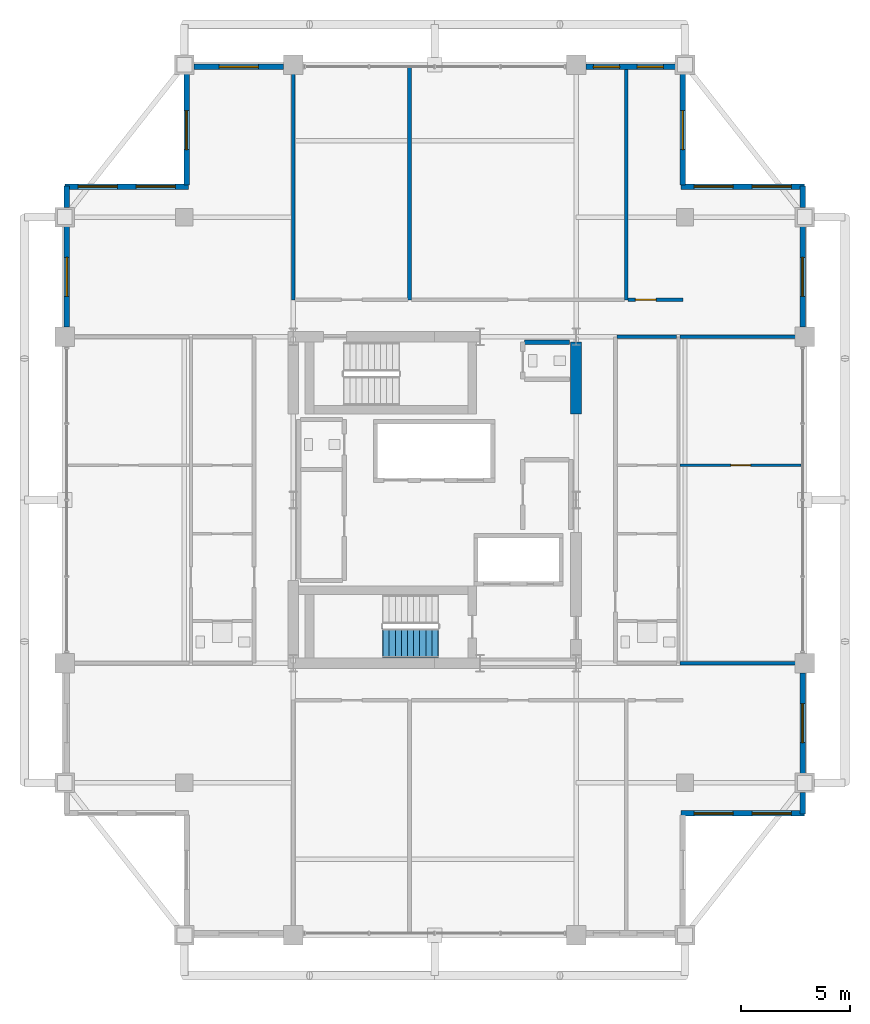
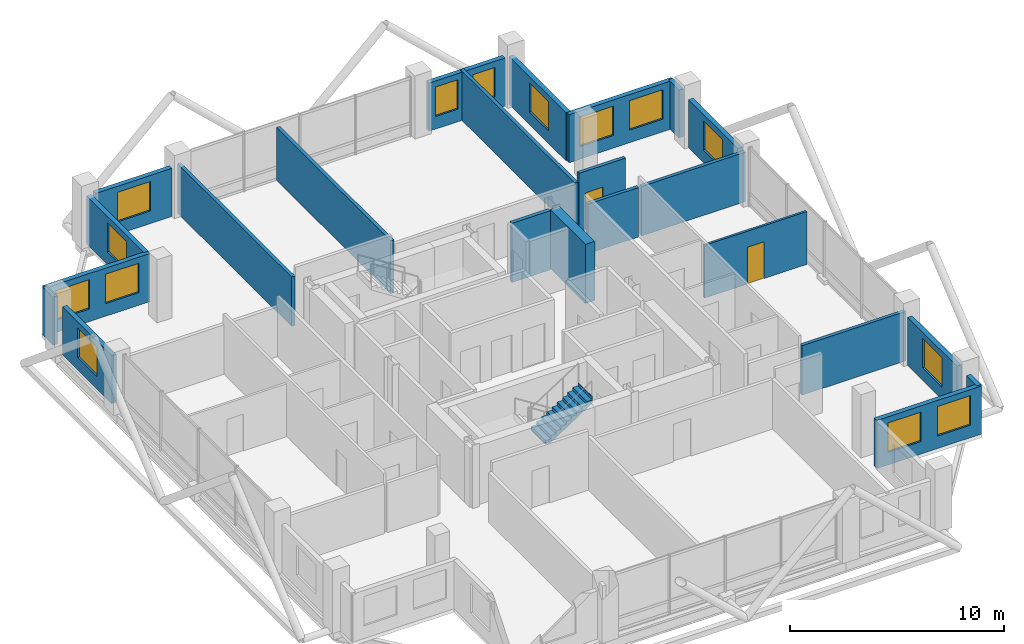
# One storey, part 21 of 24: 23 walls, 14 windows, 2 doors, 1 stair flight, 16 openings, 1 element without a shape of its own.
"""IFC4 building model written with IfcOpenShell, lengths in metres."""

import ifcopenshell
import ifcopenshell.guid

model = None  # the IFC model being written
_history = None  # IfcOwnerHistory: only IFC2X3 demands one
_inside = {}  # id of a spatial element -> (the spatial element, [elements in it])
_under = {}  # id of a project, library or spatial element -> (it, [spatial elements below it])
_declared = {}  # id of a project -> (the project, [libraries it declares])
_typed = {}  # id of a type object -> (the type object, [elements of that type])
_made_of = {}  # id of a material, layer set ... -> (it, [elements and type objects made of it])


def new_model(schema):
    """Start an empty IFC model of exactly this schema.

    Asked for "IFC4X3", IfcOpenShell would pick the latest addendum, in which some entities
    have other attributes; the version numbers below select the first issue.
    IFC2X3 requires an IfcOwnerHistory on every rooted entity: one is made here for all.
    """
    global model, _history
    if schema == "IFC4X3":
        model = ifcopenshell.file(schema_version=(4, 3, 0, 0))
    else:
        model = ifcopenshell.file(schema=schema)
    _inside.clear()
    _under.clear()
    _declared.clear()
    _typed.clear()
    _made_of.clear()
    _history = None
    if model.schema == "IFC2X3":
        org = make("IfcOrganization", Name="unknown")
        user = make(
            "IfcPersonAndOrganization",
            ThePerson=make("IfcPerson", FamilyName="unknown"),
            TheOrganization=org,
        )
        app = make(
            "IfcApplication",
            ApplicationDeveloper=org,
            Version="unknown",
            ApplicationFullName="unknown",
            ApplicationIdentifier="unknown",
        )
        _history = make(
            "IfcOwnerHistory",
            OwningUser=user,
            OwningApplication=app,
            ChangeAction="ADDED",
            CreationDate=0,
        )
    return model


def make(cls, **values):
    """One entity of the class cls with the attributes given. An attribute that is None is left unset."""
    return model.create_entity(
        cls, **{name: value for name, value in values.items() if value is not None}
    )


def rooted(cls, **values):
    """An entity with a GlobalId (a new one), such as an element, a storey or a relation."""
    return make(cls, GlobalId=ifcopenshell.guid.new(), OwnerHistory=_history, **values)


def si_unit(unit_type, name, prefix=None):
    """IfcSIUnit, for example si_unit("LENGTHUNIT", "METRE", prefix="MILLI")."""
    return make("IfcSIUnit", UnitType=unit_type, Prefix=prefix, Name=name)


def assignment(units):
    """IfcUnitAssignment: the units of a project."""
    return None if units is None else make("IfcUnitAssignment", Units=units)


def point(xyz):
    """IfcCartesianPoint."""
    return None if xyz is None else make("IfcCartesianPoint", Coordinates=xyz)


def direction(xyz):
    """IfcDirection."""
    return None if xyz is None else make("IfcDirection", DirectionRatios=xyz)


def frame(location, z_axis=None, x_axis=None):
    """IfcAxis2Placement3D, a coordinate frame: its origin and axes. An axis left out is left unset."""
    return make(
        "IfcAxis2Placement3D",
        Location=point(location),
        Axis=direction(z_axis),
        RefDirection=direction(x_axis),
    )


def frame_2d(location, x_axis=None):
    """IfcAxis2Placement2D, a coordinate frame in the plane: its origin and x axis."""
    return make(
        "IfcAxis2Placement2D", Location=point(location), RefDirection=direction(x_axis)
    )


def origin():
    """The frame at (0, 0, 0) with its axes left unset."""
    return frame((0.0, 0.0, 0.0))


def place(relative_to, where):
    """IfcLocalPlacement: puts the frame where relative to a parent placement (None: the world)."""
    return make(
        "IfcLocalPlacement", PlacementRelTo=relative_to, RelativePlacement=where
    )


def context(
    kind, dimensions, precision=None, world=None, true_north=None, identifier=None
):
    """IfcGeometricRepresentationContext, for example the 3D "Model" context."""
    return make(
        "IfcGeometricRepresentationContext",
        ContextIdentifier=identifier,
        ContextType=kind,
        CoordinateSpaceDimension=dimensions,
        Precision=precision,
        WorldCoordinateSystem=world,
        TrueNorth=true_north,
    )


def subcontext(parent, identifier, kind, view, scale=None):
    """IfcGeometricRepresentationSubContext, for example "Body" below "Model"."""
    return make(
        "IfcGeometricRepresentationSubContext",
        ContextIdentifier=identifier,
        ContextType=kind,
        ParentContext=parent,
        TargetScale=scale,
        TargetView=view,
    )


def project(units=None, contexts=None):
    """IfcProject with its units and contexts."""
    return rooted(
        "IfcProject",
        Name="project",
        RepresentationContexts=contexts,
        UnitsInContext=assignment(units),
    )


def spatial(cls, under=None, at=None, **own):
    """A site, building, storey or space (cls), placed at a placement, below another one or the project."""
    s = rooted(cls, ObjectPlacement=at, **own)
    if under is not None:
        _under.setdefault(under.id(), (under, []))[1].append(s)
    return s


def polyline(points):
    """IfcPolyline through the points."""
    return make("IfcPolyline", Points=[point(p) for p in points])


def profile(cls, at=None, kind="AREA", **sizes):
    """A parametric profile (cls). Its sizes go by their IFC names, for example OverallWidth=200.0."""
    return make(cls, ProfileType=kind, Position=at, **sizes)


def rectangle(**sizes):
    """IfcRectangleProfileDef."""
    return profile("IfcRectangleProfileDef", **sizes)


def outline(outer, holes=None, kind="AREA"):
    """IfcArbitraryClosedProfileDef: a profile drawn as a closed curve; with holes, ...WithVoids."""
    if holes is None:
        return make("IfcArbitraryClosedProfileDef", ProfileType=kind, OuterCurve=outer)
    return make(
        "IfcArbitraryProfileDefWithVoids",
        ProfileType=kind,
        OuterCurve=outer,
        InnerCurves=holes,
    )


def extrude(swept, where, along, depth):
    """IfcExtrudedAreaSolid: the profile swept, set in the frame where, extruded along a direction by depth."""
    return make(
        "IfcExtrudedAreaSolid",
        SweptArea=swept,
        Position=where,
        ExtrudedDirection=direction(along),
        Depth=depth,
    )


def shape(context_of_items, identifier, shape_type, items):
    """IfcShapeRepresentation: the items that make up one representation, for example the "Body"."""
    return make(
        "IfcShapeRepresentation",
        ContextOfItems=context_of_items,
        RepresentationIdentifier=identifier,
        RepresentationType=shape_type,
        Items=items,
    )


def material(Name=None, Category=None):
    """IfcMaterial."""
    return make("IfcMaterial", Name=Name, Category=Category)


def layer(
    of_material, thickness, ventilated=None, Name=None, Category=None, Priority=None
):
    """IfcMaterialLayer: one layer of a wall or slab, of a material (None: an air gap)."""
    return make(
        "IfcMaterialLayer",
        Material=of_material,
        LayerThickness=thickness,
        IsVentilated=ventilated,
        Name=Name,
        Category=Category,
        Priority=Priority,
    )


def layer_set(layers, Name=None):
    """IfcMaterialLayerSet."""
    return make("IfcMaterialLayerSet", MaterialLayers=layers, LayerSetName=Name)


def made_of(thing, what):
    """Note that an element or type object is made of a material, layer set ...; save() writes the relation."""
    if what is not None:
        _made_of.setdefault(what.id(), (what, []))[1].append(thing)
    return thing


def type_object(cls, material=None, **own):
    """A type object (cls), such as IfcWallType, which elements share."""
    return made_of(rooted(cls, **own), material)


def element(
    cls,
    number,
    at=None,
    inside=None,
    cuts=None,
    type_object=None,
    material=None,
    context=None,
    identifier="Body",
    shape_type=None,
    held_by="IfcProductDefinitionShape",
    body=None,
    shapes=None,
    **own,
):
    """One element of the class cls, such as IfcWall. Its Tag is "e" and its number.

    at: its placement. inside: the storey or other place that contains it. cuts: it is an
    opening in that element (IfcRelVoidsElement). A single representation is given by context,
    identifier, shape_type and body (its items); several are given by shapes. held_by: the class
    of the entity that holds the representations. save() writes the other relations.
    """
    e = rooted(cls, Tag="e%d" % number, ObjectPlacement=at, **own)
    if body is not None:
        shapes = [shape(context, identifier, shape_type, body)]
    if shapes is not None:
        e.Representation = make(held_by, Representations=shapes)
    if inside is not None:
        _inside.setdefault(inside.id(), (inside, []))[1].append(e)
    if cuts is not None:
        rooted(
            "IfcRelVoidsElement", RelatingBuildingElement=cuts, RelatedOpeningElement=e
        )
    if type_object is not None:
        _typed.setdefault(type_object.id(), (type_object, []))[1].append(e)
    return made_of(e, material)


def fill(opening, filler):
    """IfcRelFillsElement: the door or window that sits in an opening."""
    return rooted(
        "IfcRelFillsElement",
        RelatingOpeningElement=opening,
        RelatedBuildingElement=filler,
    )


def aggregate(whole, parts):
    """IfcRelAggregates: a whole, such as a stair, and the parts it consists of."""
    return rooted("IfcRelAggregates", RelatingObject=whole, RelatedObjects=parts)


def save(model, path):
    """Write the relations noted so far, then the file.

    IfcRelAggregates (storeys below a building ...), IfcRelContainedInSpatialStructure (elements
    in a storey), IfcRelDefinesByType, IfcRelAssociatesMaterial and IfcRelDeclares: one each for
    every whole, place, type object, material and project.
    """
    for whole, parts in _under.values():
        aggregate(whole, parts)
    for where, things in _inside.values():
        rooted(
            "IfcRelContainedInSpatialStructure",
            RelatedElements=things,
            RelatingStructure=where,
        )
    for kind, things in _typed.values():
        rooted("IfcRelDefinesByType", RelatedObjects=things, RelatingType=kind)
    for what, things in _made_of.values():
        rooted("IfcRelAssociatesMaterial", RelatedObjects=things, RelatingMaterial=what)
    for by, libraries in _declared.values():
        rooted("IfcRelDeclares", RelatingContext=by, RelatedDefinitions=libraries)
    model.write(path)


model = new_model("IFC4")

# Units and contexts
model_context = context("Model", 3, precision=1e-05, world=origin(), true_north=direction((0.0, 1.0)))
body_context = subcontext(model_context, "Body", "Model", "MODEL_VIEW")
ifc_project = project(units=[si_unit("LENGTHUNIT", "METRE"), si_unit("AREAUNIT", "SQUARE_METRE"), si_unit("VOLUMEUNIT", "CUBIC_METRE"), si_unit("PLANEANGLEUNIT", "RADIAN"), si_unit("MASSUNIT", "GRAM", prefix="KILO")], contexts=[model_context])

# Site, building, storey
site_placement = place(None, origin())
site = spatial("IfcSite", under=ifc_project, at=site_placement, CompositionType="ELEMENT")
building_placement = place(site_placement, origin())
building = spatial("IfcBuilding", under=site, at=building_placement, Name="Barlavira Tower and Art Museum", CompositionType="ELEMENT")
storey_placement = place(building_placement, frame((0.0, 0.0, 294.300048828125)))
storey = spatial("IfcBuildingStorey", under=building, at=storey_placement, Name="L77", CompositionType="ELEMENT", Elevation=294.300048828125)

# Wall, opening, door
ifc_material_1 = material(Name="Gypsum acoustic stud partition", Category="gypsum")
ifc_layer_1 = layer(ifc_material_1, 0.1201171875, Name="Gypsum acoustic stud partition")
ifc_layer_set_1 = layer_set([ifc_layer_1], Name="Gypsum acoustic stud partition")
wall_type_1 = type_object("IfcWallType", Name="Apartment Internal Acoustic Partition 120", PredefinedType="PARTITIONING", material=ifc_layer_set_1)
wall_1_placement = place(storey_placement, frame((11.280029296875, 1.60009765625, 0.0), z_axis=(0.0, 0.0, 1.0), x_axis=(1.0, 0.0, 0.0)))
wall_1 = element("IfcWall", 1, at=wall_1_placement, inside=storey, type_object=wall_type_1, Name="L77 Partition Wall 32", PredefinedType="PARTITIONING", context=body_context, shape_type="SweptSolid", body=[
    extrude(rectangle(XDim=5.5400390625, YDim=0.1201171875, at=frame_2d((2.77001953125, 0.0))), origin(), (0.0, 0.0, 1.0), 3.01806640625),
])
opening_1_placement = place(wall_1_placement, frame((2.330078125, 0.0, 0.0)))
opening_1 = element("IfcOpeningElement", 2, at=opening_1_placement, cuts=wall_1, Name="Opening D-01", PredefinedType="OPENING", context=body_context, shape_type="SweptSolid", body=[
    extrude(rectangle(XDim=0.89990234375, YDim=2.10009765625, at=frame_2d((0.449951171875, 1.050048828125))), frame((0.0, 0.070068359375, 0.0), z_axis=(0.0, -1.0, 0.0), x_axis=(1.0, 0.0, 0.0)), (0.0, 0.0, 1.0), 0.14013671875),
])
ifc_material_2 = material(Name="Engineered coastal hardwood", Category="wood")
door_type_1 = type_object("IfcDoorType", Name="Internal Bedroom Timber Flush Door 900x2100", OperationType="NOTDEFINED", PredefinedType="DOOR", material=ifc_material_2)
door_1_placement = place(opening_1_placement, origin())
door_1 = element("IfcDoor", 3, at=door_1_placement, inside=storey, type_object=door_type_1, Name="Apartment E1 Bedroom 1 Door", OperationType="SINGLE_SWING_LEFT", OverallHeight=2.10009765625, OverallWidth=0.89990234375, PredefinedType="DOOR", context=body_context, shape_type="SweptSolid", body=[
    extrude(rectangle(XDim=0.89990234375, YDim=2.10009765625, at=frame_2d((0.449951171875, 1.050048828125))), frame((0.0, 0.02490234375, 0.0), z_axis=(0.0, -1.0, 0.0), x_axis=(1.0, 0.0, 0.0)), (0.0, 0.0, 1.0), 0.050048828125),
])
fill(opening_1, door_1)

# Walls
ifc_material_3 = material(Name="Concrete C60", Category="concrete")
ifc_layer_2 = layer(ifc_material_3, 0.5, Name="Concrete C60")
ifc_layer_set_2 = layer_set([ifc_layer_2], Name="Concrete C60")
wall_type_2 = type_object("IfcWallType", Name="Core Structural Shear Wall 500 Concrete C60", PredefinedType="SHEAR", material=ifc_layer_set_2)
wall_2_placement = place(storey_placement, frame((6.5, 3.949951171875, 0.0), z_axis=(0.0, 0.0, 1.0), x_axis=(0.0, 1.0, 0.0)))
element("IfcWall", 4, at=wall_2_placement, inside=storey, type_object=wall_type_2, Name="L77 Core Shear Wall CS-E2", PredefinedType="SHEAR", context=body_context, shape_type="SweptSolid", body=[
    extrude(rectangle(XDim=3.300048828125, YDim=0.5, at=frame_2d((1.64990234375, 0.0))), origin(), (0.0, 0.0, 1.0), 3.3798828125),
])
ifc_material_4 = material(Name="Autoclaved aerated concrete masonry", Category="masonry")
ifc_layer_3 = layer(ifc_material_4, 0.199951171875, Name="Autoclaved aerated concrete masonry")
ifc_layer_set_3 = layer_set([ifc_layer_3], Name="Autoclaved aerated concrete masonry")
wall_type_3 = type_object("IfcWallType", Name="Fire Compartment and Shaft Wall 200", PredefinedType="SOLIDWALL", material=ifc_layer_set_3)
wall_3_placement = place(storey_placement, frame((4.1298828125, 7.25, 0.0), z_axis=(0.0, 0.0, 1.0), x_axis=(1.0, 0.0, 0.0)))
element("IfcWall", 5, at=wall_3_placement, inside=storey, type_object=wall_type_3, Name="L77 Partition Wall 36", PredefinedType="SOLIDWALL", context=body_context, shape_type="SweptSolid", body=[
    extrude(rectangle(XDim=2.070068359375, YDim=0.199951171875, at=frame_2d((1.03515625, 0.0))), origin(), (0.0, 0.0, 1.0), 3.3798828125),
])
ifc_layer_4 = layer(ifc_material_1, 0.179931640625, Name="Gypsum acoustic stud partition")
ifc_layer_set_4 = layer_set([ifc_layer_4], Name="Gypsum acoustic stud partition")
wall_type_4 = type_object("IfcWallType", Name="Inter-Tenancy Party Partition Wall 180", PredefinedType="PARTITIONING", material=ifc_layer_set_4)
wall_4_placement = place(storey_placement, frame((-6.5, 9.199951171875, 0.0), z_axis=(0.0, 0.0, 1.0), x_axis=(0.0, 1.0, 0.0)))
element("IfcWall", 6, at=wall_4_placement, inside=storey, type_object=wall_type_4, Name="L77 Partition Wall 4", PredefinedType="PARTITIONING", context=body_context, shape_type="SweptSolid", body=[
    extrude(rectangle(XDim=10.699951171875, YDim=0.179931640625, at=frame_2d((5.35009765625, 0.0))), origin(), (0.0, 0.0, 1.0), 2.825927734375),
])
wall_5_placement = place(storey_placement, frame((-1.14990234375, 9.199951171875, 0.0), z_axis=(0.0, 0.0, 1.0), x_axis=(0.0, 1.0, 0.0)))
element("IfcWall", 7, at=wall_5_placement, inside=storey, type_object=wall_type_4, Name="L77 Partition Wall 8", PredefinedType="PARTITIONING", context=body_context, shape_type="SweptSolid", body=[
    extrude(rectangle(XDim=10.699951171875, YDim=0.179931640625, at=frame_2d((5.35009765625, 0.0))), origin(), (0.0, 0.0, 1.0), 3.01806640625),
])
wall_6_placement = place(storey_placement, frame((8.800048828125, 9.199951171875, 0.0), z_axis=(0.0, 0.0, 1.0), x_axis=(0.0, 1.0, 0.0)))
element("IfcWall", 8, at=wall_6_placement, inside=storey, type_object=wall_type_4, Name="L77 Partition Wall 14", PredefinedType="PARTITIONING", context=body_context, shape_type="SweptSolid", body=[
    extrude(rectangle(XDim=10.699951171875, YDim=0.179931640625, at=frame_2d((5.35009765625, 0.0))), origin(), (0.0, 0.0, 1.0), 2.825927734375),
])
wall_7_placement = place(storey_placement, frame((11.280029296875, -7.5, 0.0), z_axis=(0.0, 0.0, 1.0), x_axis=(1.0, 0.0, 0.0)))
element("IfcWall", 9, at=wall_7_placement, inside=storey, type_object=wall_type_4, Name="L77 Partition Wall 22", PredefinedType="PARTITIONING", context=body_context, shape_type="SweptSolid", body=[
    extrude(rectangle(XDim=5.619873046875, YDim=0.179931640625, at=frame_2d((2.81005859375, 0.0))), origin(), (0.0, 0.0, 1.0), 2.825927734375),
])
wall_8_placement = place(storey_placement, frame((8.3798828125, 7.5, 0.0), z_axis=(0.0, 0.0, 1.0), x_axis=(1.0, 0.0, 0.0)))
element("IfcWall", 10, at=wall_8_placement, inside=storey, type_object=wall_type_4, Name="L77 Partition Wall 39", PredefinedType="PARTITIONING", context=body_context, shape_type="SweptSolid", body=[
    extrude(rectangle(XDim=2.740234375, YDim=0.179931640625, at=frame_2d((1.3701171875, 0.0))), origin(), (0.0, 0.0, 1.0), 2.825927734375),
])
wall_9_placement = place(storey_placement, frame((11.280029296875, 7.5, 0.0), z_axis=(0.0, 0.0, 1.0), x_axis=(1.0, 0.0, 0.0)))
element("IfcWall", 11, at=wall_9_placement, inside=storey, type_object=wall_type_4, Name="L77 Partition Wall 40", PredefinedType="PARTITIONING", context=body_context, shape_type="SweptSolid", body=[
    extrude(rectangle(XDim=5.619873046875, YDim=0.179931640625, at=frame_2d((2.81005859375, 0.0))), origin(), (0.0, 0.0, 1.0), 2.825927734375),
])

# Wall, opening, door
wall_10_placement = place(storey_placement, frame((8.8798828125, 9.199951171875, 0.0), z_axis=(0.0, 0.0, 1.0), x_axis=(1.0, 0.0, 0.0)))
wall_10 = element("IfcWall", 12, at=wall_10_placement, inside=storey, type_object=wall_type_4, Name="L77 Partition Wall 43", PredefinedType="PARTITIONING", context=body_context, shape_type="SweptSolid", body=[
    extrude(rectangle(XDim=2.52001953125, YDim=0.179931640625, at=frame_2d((1.260009765625, 0.0))), origin(), (0.0, 0.0, 1.0), 3.3798828125),
])
opening_2_placement = place(wall_10_placement, frame((0.344970703125, 0.0, 0.0)))
opening_2 = element("IfcOpeningElement", 13, at=opening_2_placement, cuts=wall_10, Name="Opening FD-60", PredefinedType="OPENING", context=body_context, shape_type="SweptSolid", body=[
    extrude(rectangle(XDim=0.949951171875, YDim=2.14990234375, at=frame_2d((0.47509765625, 1.074951171875))), frame((0.0, 0.10009765625, 0.0), z_axis=(0.0, -1.0, 0.0), x_axis=(1.0, 0.0, 0.0)), (0.0, 0.0, 1.0), 0.199951171875),
])
ifc_material_5 = material(Name="Brushed stainless steel", Category="steel")
door_type_2 = type_object("IfcDoorType", Name="Apartment Entrance and Riser Fire Door 950x2150 FD60S", OperationType="NOTDEFINED", PredefinedType="DOOR", material=ifc_material_5)
door_2_placement = place(opening_2_placement, origin())
door_2 = element("IfcDoor", 14, at=door_2_placement, inside=storey, type_object=door_type_2, Name="Shared Coworking Espresso Pantry Door", OperationType="SINGLE_SWING_LEFT", OverallHeight=2.14990234375, OverallWidth=0.949951171875, PredefinedType="DOOR", context=body_context, shape_type="SweptSolid", body=[
    extrude(rectangle(XDim=0.949951171875, YDim=2.14990234375, at=frame_2d((0.47509765625, 1.074951171875))), frame((0.0, 0.02490234375, 0.0), z_axis=(0.0, -1.0, 0.0), x_axis=(1.0, 0.0, 0.0)), (0.0, 0.0, 1.0), 0.050048828125),
])
fill(opening_2, door_2)

# Wall, openings, windows
ifc_material_6 = material(Name="Precast concrete C40", Category="concrete")
ifc_layer_5 = layer(ifc_material_6, 0.25, Name="Precast concrete C40")
ifc_layer_set_5 = layer_set([ifc_layer_5], Name="Precast concrete C40")
wall_type_5 = type_object("IfcWallType", Name="Notched Corner Spandrel Wall 250 Precast Concrete C40", PredefinedType="SOLIDWALL", material=ifc_layer_set_5)
wall_11_placement = place(storey_placement, frame((11.054931640625, 19.89990234375, 0.0), z_axis=(0.0, 0.0, 1.0), x_axis=(-1.0, 0.0, 0.0)))
wall_11 = element("IfcWall", 15, at=wall_11_placement, inside=storey, type_object=wall_type_5, Name="L77 Coastal Facade Pier Wall CW4-L77-N-1", PredefinedType="SOLIDWALL", context=body_context, shape_type="SweptSolid", body=[
    extrude(rectangle(XDim=4.10986328125, YDim=0.25, at=frame_2d((2.054931640625, 0.0))), origin(), (0.0, 0.0, 1.0), 2.748046875),
])
opening_3_placement = place(wall_11_placement, frame((0.550048828125, 0.0, 0.719970703125)))
opening_3 = element("IfcOpeningElement", 16, at=opening_3_placement, cuts=wall_11, Name="Opening WN-05", PredefinedType="OPENING", context=body_context, shape_type="SweptSolid", body=[
    extrude(rectangle(XDim=1.199951171875, YDim=1.679931640625, at=frame_2d((0.60009765625, 0.83984375))), frame((0.0, 0.135009765625, 0.0), z_axis=(0.0, -1.0, 0.0), x_axis=(1.0, 0.0, 0.0)), (0.0, 0.0, 1.0), 0.27001953125),
])
opening_4_placement = place(wall_11_placement, frame((2.56005859375, 0.0, 0.719970703125)))
opening_4 = element("IfcOpeningElement", 17, at=opening_4_placement, cuts=wall_11, Name="Opening WN-05", PredefinedType="OPENING", context=body_context, shape_type="SweptSolid", body=[
    extrude(rectangle(XDim=1.199951171875, YDim=1.679931640625, at=frame_2d((0.60009765625, 0.83984375))), frame((0.0, 0.135009765625, 0.0), z_axis=(0.0, -1.0, 0.0), x_axis=(1.0, 0.0, 0.0)), (0.0, 0.0, 1.0), 0.27001953125),
])
ifc_material_7 = material(Name="Low-iron coastal laminated glass", Category="glass")
window_type_1 = type_object("IfcWindowType", Name="Recessed Flank Pier Punch Window 1200x1680", PartitioningType="SINGLE_PANEL", PredefinedType="WINDOW", material=ifc_material_7)
window_1_placement = place(opening_3_placement, origin())
window_1 = element("IfcWindow", 18, at=window_1_placement, inside=storey, type_object=window_type_1, Name="L77 Punched Facade Window EWP-CW4-L77-N-1-1", OverallHeight=1.679931640625, OverallWidth=1.199951171875, PartitioningType="SINGLE_PANEL", PredefinedType="WINDOW", context=body_context, shape_type="SweptSolid", body=[
    extrude(rectangle(XDim=1.199951171875, YDim=1.679931640625, at=frame_2d((0.60009765625, 0.83984375))), frame((0.0, 0.030029296875, 0.0), z_axis=(0.0, -1.0, 0.0), x_axis=(1.0, 0.0, 0.0)), (0.0, 0.0, 1.0), 0.06005859375),
])
fill(opening_3, window_1)
window_2_placement = place(opening_4_placement, origin())
window_2 = element("IfcWindow", 19, at=window_2_placement, inside=storey, type_object=window_type_1, Name="L77 Punched Facade Window EWP-CW4-L77-N-1-2", OverallHeight=1.679931640625, OverallWidth=1.199951171875, PartitioningType="SINGLE_PANEL", PredefinedType="WINDOW", context=body_context, shape_type="SweptSolid", body=[
    extrude(rectangle(XDim=1.199951171875, YDim=1.679931640625, at=frame_2d((0.60009765625, 0.83984375))), frame((0.0, 0.030029296875, 0.0), z_axis=(0.0, -1.0, 0.0), x_axis=(1.0, 0.0, 0.0)), (0.0, 0.0, 1.0), 0.06005859375),
])
fill(opening_4, window_2)

# Wall, opening, window
wall_12_placement = place(storey_placement, frame((-6.945068359375, 19.89990234375, 0.0), z_axis=(0.0, 0.0, 1.0), x_axis=(-1.0, 0.0, 0.0)))
wall_12 = element("IfcWall", 20, at=wall_12_placement, inside=storey, type_object=wall_type_5, Name="L77 Coastal Facade Pier Wall CW4-L77-N-3", PredefinedType="SOLIDWALL", context=body_context, shape_type="SweptSolid", body=[
    extrude(rectangle(XDim=4.10986328125, YDim=0.25, at=frame_2d((2.054931640625, 0.0))), origin(), (0.0, 0.0, 1.0), 2.748046875),
])
opening_5_placement = place(wall_12_placement, frame((1.155029296875, 0.0, 0.719970703125)))
opening_5 = element("IfcOpeningElement", 21, at=opening_5_placement, cuts=wall_12, Name="Opening WN-01", PredefinedType="OPENING", context=body_context, shape_type="SweptSolid", body=[
    extrude(rectangle(XDim=1.800048828125, YDim=1.679931640625, at=frame_2d((0.89990234375, 0.83984375))), frame((0.0, 0.135009765625, 0.0), z_axis=(0.0, -1.0, 0.0), x_axis=(1.0, 0.0, 0.0)), (0.0, 0.0, 1.0), 0.27001953125),
])
window_type_2 = type_object("IfcWindowType", Name="Recessed Notch Corner Punch Window 1800x1680", PartitioningType="SINGLE_PANEL", PredefinedType="WINDOW", material=ifc_material_7)
window_3_placement = place(opening_5_placement, origin())
window_3 = element("IfcWindow", 22, at=window_3_placement, inside=storey, type_object=window_type_2, Name="L77 Punched Facade Window EWP-CW4-L77-N-3-1", OverallHeight=1.679931640625, OverallWidth=1.800048828125, PartitioningType="SINGLE_PANEL", PredefinedType="WINDOW", context=body_context, shape_type="SweptSolid", body=[
    extrude(rectangle(XDim=1.800048828125, YDim=1.679931640625, at=frame_2d((0.89990234375, 0.83984375))), frame((0.0, 0.030029296875, 0.0), z_axis=(0.0, -1.0, 0.0), x_axis=(1.0, 0.0, 0.0)), (0.0, 0.0, 1.0), 0.06005859375),
])
fill(opening_5, window_3)

# Wall
wall_13_placement = place(storey_placement, frame((-16.89990234375, 14.425048828125, 0.0), z_axis=(0.0, 0.0, 1.0), x_axis=(0.0, -1.0, 0.0)))
element("IfcWall", 23, at=wall_13_placement, inside=storey, type_object=wall_type_5, Name="L77 Coastal Facade Pier Wall CW4-L77-W-1", PredefinedType="SOLIDWALL", context=body_context, shape_type="SweptSolid", body=[
    extrude(rectangle(XDim=0.97998046875, YDim=0.25, at=frame_2d((0.489990234375, 0.0))), origin(), (0.0, 0.0, 1.0), 2.748046875),
])

# Wall, opening, window
wall_14_placement = place(storey_placement, frame((-16.89990234375, 12.554931640625, 0.0), z_axis=(0.0, 0.0, 1.0), x_axis=(0.0, -1.0, 0.0)))
wall_14 = element("IfcWall", 24, at=wall_14_placement, inside=storey, type_object=wall_type_5, Name="L77 Coastal Facade Pier Wall CW4-L77-W-2", PredefinedType="SOLIDWALL", context=body_context, shape_type="SweptSolid", body=[
    extrude(rectangle(XDim=4.60986328125, YDim=0.25, at=frame_2d((2.304931640625, 0.0))), origin(), (0.0, 0.0, 1.0), 2.748046875),
])
opening_6_placement = place(wall_14_placement, frame((1.405029296875, 0.0, 0.719970703125)))
opening_6 = element("IfcOpeningElement", 25, at=opening_6_placement, cuts=wall_14, Name="Opening WN-01", PredefinedType="OPENING", context=body_context, shape_type="SweptSolid", body=[
    extrude(rectangle(XDim=1.800048828125, YDim=1.679931640625, at=frame_2d((0.89990234375, 0.83984375))), frame((0.0, 0.135009765625, 0.0), z_axis=(0.0, -1.0, 0.0), x_axis=(1.0, 0.0, 0.0)), (0.0, 0.0, 1.0), 0.27001953125),
])
window_4_placement = place(opening_6_placement, origin())
window_4 = element("IfcWindow", 26, at=window_4_placement, inside=storey, type_object=window_type_2, Name="L77 Punched Facade Window EWP-CW4-L77-W-2-1", OverallHeight=1.679931640625, OverallWidth=1.800048828125, PartitioningType="SINGLE_PANEL", PredefinedType="WINDOW", context=body_context, shape_type="SweptSolid", body=[
    extrude(rectangle(XDim=1.800048828125, YDim=1.679931640625, at=frame_2d((0.89990234375, 0.83984375))), frame((0.0, 0.030029296875, 0.0), z_axis=(0.0, -1.0, 0.0), x_axis=(1.0, 0.0, 0.0)), (0.0, 0.0, 1.0), 0.06005859375),
])
fill(opening_6, window_4)

# Wall
wall_15_placement = place(storey_placement, frame((16.89990234375, -14.425048828125, 0.0), z_axis=(0.0, 0.0, 1.0), x_axis=(0.0, 1.0, 0.0)))
element("IfcWall", 27, at=wall_15_placement, inside=storey, type_object=wall_type_5, Name="L77 Coastal Facade Pier Wall CW4-L77-E-1", PredefinedType="SOLIDWALL", context=body_context, shape_type="SweptSolid", body=[
    extrude(rectangle(XDim=0.97998046875, YDim=0.25, at=frame_2d((0.489990234375, 0.0))), origin(), (0.0, 0.0, 1.0), 2.748046875),
])

# Wall, opening, window
wall_16_placement = place(storey_placement, frame((16.89990234375, -12.554931640625, 0.0), z_axis=(0.0, 0.0, 1.0), x_axis=(0.0, 1.0, 0.0)))
wall_16 = element("IfcWall", 28, at=wall_16_placement, inside=storey, type_object=wall_type_5, Name="L77 Coastal Facade Pier Wall CW4-L77-E-2", PredefinedType="SOLIDWALL", context=body_context, shape_type="SweptSolid", body=[
    extrude(rectangle(XDim=4.60986328125, YDim=0.25, at=frame_2d((2.304931640625, 0.0))), origin(), (0.0, 0.0, 1.0), 2.748046875),
])
opening_7_placement = place(wall_16_placement, frame((1.405029296875, 0.0, 0.719970703125)))
opening_7 = element("IfcOpeningElement", 29, at=opening_7_placement, cuts=wall_16, Name="Opening WN-01", PredefinedType="OPENING", context=body_context, shape_type="SweptSolid", body=[
    extrude(rectangle(XDim=1.800048828125, YDim=1.679931640625, at=frame_2d((0.89990234375, 0.83984375))), frame((0.0, 0.135009765625, 0.0), z_axis=(0.0, -1.0, 0.0), x_axis=(1.0, 0.0, 0.0)), (0.0, 0.0, 1.0), 0.27001953125),
])
window_5_placement = place(opening_7_placement, origin())
window_5 = element("IfcWindow", 30, at=window_5_placement, inside=storey, type_object=window_type_2, Name="L77 Punched Facade Window EWP-CW4-L77-E-2-1", OverallHeight=1.679931640625, OverallWidth=1.800048828125, PartitioningType="SINGLE_PANEL", PredefinedType="WINDOW", context=body_context, shape_type="SweptSolid", body=[
    extrude(rectangle(XDim=1.800048828125, YDim=1.679931640625, at=frame_2d((0.89990234375, 0.83984375))), frame((0.0, 0.030029296875, 0.0), z_axis=(0.0, -1.0, 0.0), x_axis=(1.0, 0.0, 0.0)), (0.0, 0.0, 1.0), 0.06005859375),
])
fill(opening_7, window_5)

wall_17_placement = place(storey_placement, frame((16.89990234375, 7.945068359375, 0.0), z_axis=(0.0, 0.0, 1.0), x_axis=(0.0, 1.0, 0.0)))
wall_17 = element("IfcWall", 31, at=wall_17_placement, inside=storey, type_object=wall_type_5, Name="L77 Coastal Facade Pier Wall CW4-L77-E-4", PredefinedType="SOLIDWALL", context=body_context, shape_type="SweptSolid", body=[
    extrude(rectangle(XDim=4.60986328125, YDim=0.25, at=frame_2d((2.304931640625, 0.0))), origin(), (0.0, 0.0, 1.0), 2.748046875),
])
opening_8_placement = place(wall_17_placement, frame((1.405029296875, 0.0, 0.719970703125)))
opening_8 = element("IfcOpeningElement", 32, at=opening_8_placement, cuts=wall_17, Name="Opening WN-01", PredefinedType="OPENING", context=body_context, shape_type="SweptSolid", body=[
    extrude(rectangle(XDim=1.800048828125, YDim=1.679931640625, at=frame_2d((0.89990234375, 0.83984375))), frame((0.0, 0.135009765625, 0.0), z_axis=(0.0, -1.0, 0.0), x_axis=(1.0, 0.0, 0.0)), (0.0, 0.0, 1.0), 0.27001953125),
])
window_6_placement = place(opening_8_placement, origin())
window_6 = element("IfcWindow", 33, at=window_6_placement, inside=storey, type_object=window_type_2, Name="L77 Punched Facade Window EWP-CW4-L77-E-4-1", OverallHeight=1.679931640625, OverallWidth=1.800048828125, PartitioningType="SINGLE_PANEL", PredefinedType="WINDOW", context=body_context, shape_type="SweptSolid", body=[
    extrude(rectangle(XDim=1.800048828125, YDim=1.679931640625, at=frame_2d((0.89990234375, 0.83984375))), frame((0.0, 0.030029296875, 0.0), z_axis=(0.0, -1.0, 0.0), x_axis=(1.0, 0.0, 0.0)), (0.0, 0.0, 1.0), 0.06005859375),
])
fill(opening_8, window_6)

# Wall
wall_18_placement = place(storey_placement, frame((16.89990234375, 13.445068359375, 0.0), z_axis=(0.0, 0.0, 1.0), x_axis=(0.0, 1.0, 0.0)))
element("IfcWall", 34, at=wall_18_placement, inside=storey, type_object=wall_type_5, Name="L77 Coastal Facade Pier Wall CW4-L77-E-5", PredefinedType="SOLIDWALL", context=body_context, shape_type="SweptSolid", body=[
    extrude(rectangle(XDim=0.97998046875, YDim=0.25, at=frame_2d((0.489990234375, 0.0))), origin(), (0.0, 0.0, 1.0), 2.748046875),
])

# Wall, openings, windows
wall_19_placement = place(storey_placement, frame((11.320068359375, -14.39990234375, 0.0), z_axis=(0.0, 0.0, 1.0), x_axis=(1.0, 0.0, 0.0)))
wall_19 = element("IfcWall", 35, at=wall_19_placement, inside=storey, type_object=wall_type_5, Name="L77 Notch Corner Wall SE2", PredefinedType="SOLIDWALL", context=body_context, shape_type="SweptSolid", body=[
    extrude(rectangle(XDim=5.659912109375, YDim=0.25, at=frame_2d((2.830078125, 0.0))), origin(), (0.0, 0.0, 1.0), 2.748046875),
])
opening_9_placement = place(wall_19_placement, frame((0.594970703125, 0.0, 0.719970703125)))
opening_9 = element("IfcOpeningElement", 36, at=opening_9_placement, cuts=wall_19, Name="Opening WN-01", PredefinedType="OPENING", context=body_context, shape_type="SweptSolid", body=[
    extrude(rectangle(XDim=1.800048828125, YDim=1.679931640625, at=frame_2d((0.89990234375, 0.83984375))), frame((0.0, 0.135009765625, 0.0), z_axis=(0.0, -1.0, 0.0), x_axis=(1.0, 0.0, 0.0)), (0.0, 0.0, 1.0), 0.27001953125),
])
opening_10_placement = place(wall_19_placement, frame((3.264892578125, 0.0, 0.719970703125)))
opening_10 = element("IfcOpeningElement", 37, at=opening_10_placement, cuts=wall_19, Name="Opening WN-01", PredefinedType="OPENING", context=body_context, shape_type="SweptSolid", body=[
    extrude(rectangle(XDim=1.800048828125, YDim=1.679931640625, at=frame_2d((0.89990234375, 0.83984375))), frame((0.0, 0.135009765625, 0.0), z_axis=(0.0, -1.0, 0.0), x_axis=(1.0, 0.0, 0.0)), (0.0, 0.0, 1.0), 0.27001953125),
])
window_7_placement = place(opening_9_placement, origin())
window_7 = element("IfcWindow", 38, at=window_7_placement, inside=storey, type_object=window_type_2, Name="L77 Punched Facade Window EW-NTC-L77-SE2-1", OverallHeight=1.679931640625, OverallWidth=1.800048828125, PartitioningType="SINGLE_PANEL", PredefinedType="WINDOW", context=body_context, shape_type="SweptSolid", body=[
    extrude(rectangle(XDim=1.800048828125, YDim=1.679931640625, at=frame_2d((0.89990234375, 0.83984375))), frame((0.0, 0.030029296875, 0.0), z_axis=(0.0, -1.0, 0.0), x_axis=(1.0, 0.0, 0.0)), (0.0, 0.0, 1.0), 0.06005859375),
])
fill(opening_9, window_7)
window_8_placement = place(opening_10_placement, origin())
window_8 = element("IfcWindow", 39, at=window_8_placement, inside=storey, type_object=window_type_2, Name="L77 Punched Facade Window EW-NTC-L77-SE2-2", OverallHeight=1.679931640625, OverallWidth=1.800048828125, PartitioningType="SINGLE_PANEL", PredefinedType="WINDOW", context=body_context, shape_type="SweptSolid", body=[
    extrude(rectangle(XDim=1.800048828125, YDim=1.679931640625, at=frame_2d((0.89990234375, 0.83984375))), frame((0.0, 0.030029296875, 0.0), z_axis=(0.0, -1.0, 0.0), x_axis=(1.0, 0.0, 0.0)), (0.0, 0.0, 1.0), 0.06005859375),
])
fill(opening_10, window_8)

wall_20_placement = place(storey_placement, frame((16.97998046875, 14.39990234375, 0.0), z_axis=(0.0, 0.0, 1.0), x_axis=(-1.0, 0.0, 0.0)))
wall_20 = element("IfcWall", 40, at=wall_20_placement, inside=storey, type_object=wall_type_5, Name="L77 Notch Corner Wall NE1", PredefinedType="SOLIDWALL", context=body_context, shape_type="SweptSolid", body=[
    extrude(rectangle(XDim=5.659912109375, YDim=0.25, at=frame_2d((2.830078125, 0.0))), origin(), (0.0, 0.0, 1.0), 2.748046875),
])
opening_11_placement = place(wall_20_placement, frame((0.594970703125, 0.0, 0.719970703125)))
opening_11 = element("IfcOpeningElement", 41, at=opening_11_placement, cuts=wall_20, Name="Opening WN-01", PredefinedType="OPENING", context=body_context, shape_type="SweptSolid", body=[
    extrude(rectangle(XDim=1.800048828125, YDim=1.679931640625, at=frame_2d((0.89990234375, 0.83984375))), frame((0.0, 0.135009765625, 0.0), z_axis=(0.0, -1.0, 0.0), x_axis=(1.0, 0.0, 0.0)), (0.0, 0.0, 1.0), 0.27001953125),
])
opening_12_placement = place(wall_20_placement, frame((3.264892578125, 0.0, 0.719970703125)))
opening_12 = element("IfcOpeningElement", 42, at=opening_12_placement, cuts=wall_20, Name="Opening WN-01", PredefinedType="OPENING", context=body_context, shape_type="SweptSolid", body=[
    extrude(rectangle(XDim=1.800048828125, YDim=1.679931640625, at=frame_2d((0.89990234375, 0.83984375))), frame((0.0, 0.135009765625, 0.0), z_axis=(0.0, -1.0, 0.0), x_axis=(1.0, 0.0, 0.0)), (0.0, 0.0, 1.0), 0.27001953125),
])
window_9_placement = place(opening_11_placement, origin())
window_9 = element("IfcWindow", 43, at=window_9_placement, inside=storey, type_object=window_type_2, Name="L77 Punched Facade Window EW-NTC-L77-NE1-1", OverallHeight=1.679931640625, OverallWidth=1.800048828125, PartitioningType="SINGLE_PANEL", PredefinedType="WINDOW", context=body_context, shape_type="SweptSolid", body=[
    extrude(rectangle(XDim=1.800048828125, YDim=1.679931640625, at=frame_2d((0.89990234375, 0.83984375))), frame((0.0, 0.030029296875, 0.0), z_axis=(0.0, -1.0, 0.0), x_axis=(1.0, 0.0, 0.0)), (0.0, 0.0, 1.0), 0.06005859375),
])
fill(opening_11, window_9)
window_10_placement = place(opening_12_placement, origin())
window_10 = element("IfcWindow", 44, at=window_10_placement, inside=storey, type_object=window_type_2, Name="L77 Punched Facade Window EW-NTC-L77-NE1-2", OverallHeight=1.679931640625, OverallWidth=1.800048828125, PartitioningType="SINGLE_PANEL", PredefinedType="WINDOW", context=body_context, shape_type="SweptSolid", body=[
    extrude(rectangle(XDim=1.800048828125, YDim=1.679931640625, at=frame_2d((0.89990234375, 0.83984375))), frame((0.0, 0.030029296875, 0.0), z_axis=(0.0, -1.0, 0.0), x_axis=(1.0, 0.0, 0.0)), (0.0, 0.0, 1.0), 0.06005859375),
])
fill(opening_12, window_10)

# Wall, opening, window
wall_21_placement = place(storey_placement, frame((11.39990234375, 14.47998046875, 0.0), z_axis=(0.0, 0.0, 1.0), x_axis=(0.0, 1.0, 0.0)))
wall_21 = element("IfcWall", 45, at=wall_21_placement, inside=storey, type_object=wall_type_5, Name="L77 Notch Corner Wall NE2", PredefinedType="SOLIDWALL", context=body_context, shape_type="SweptSolid", body=[
    extrude(rectangle(XDim=5.340087890625, YDim=0.25, at=frame_2d((2.669921875, 0.0))), origin(), (0.0, 0.0, 1.0), 2.748046875),
])
opening_13_placement = place(wall_21_placement, frame((1.614990234375, 0.0, 0.719970703125)))
opening_13 = element("IfcOpeningElement", 46, at=opening_13_placement, cuts=wall_21, Name="Opening WN-01", PredefinedType="OPENING", context=body_context, shape_type="SweptSolid", body=[
    extrude(rectangle(XDim=1.800048828125, YDim=1.679931640625, at=frame_2d((0.89990234375, 0.83984375))), frame((0.0, 0.135009765625, 0.0), z_axis=(0.0, -1.0, 0.0), x_axis=(1.0, 0.0, 0.0)), (0.0, 0.0, 1.0), 0.27001953125),
])
window_11_placement = place(opening_13_placement, origin())
window_11 = element("IfcWindow", 47, at=window_11_placement, inside=storey, type_object=window_type_2, Name="L77 Punched Facade Window EW-NTC-L77-NE2-1", OverallHeight=1.679931640625, OverallWidth=1.800048828125, PartitioningType="SINGLE_PANEL", PredefinedType="WINDOW", context=body_context, shape_type="SweptSolid", body=[
    extrude(rectangle(XDim=1.800048828125, YDim=1.679931640625, at=frame_2d((0.89990234375, 0.83984375))), frame((0.0, 0.030029296875, 0.0), z_axis=(0.0, -1.0, 0.0), x_axis=(1.0, 0.0, 0.0)), (0.0, 0.0, 1.0), 0.06005859375),
])
fill(opening_13, window_11)

wall_22_placement = place(storey_placement, frame((-11.39990234375, 19.820068359375, 0.0), z_axis=(0.0, 0.0, 1.0), x_axis=(0.0, -1.0, 0.0)))
wall_22 = element("IfcWall", 48, at=wall_22_placement, inside=storey, type_object=wall_type_5, Name="L77 Notch Corner Wall NW1", PredefinedType="SOLIDWALL", context=body_context, shape_type="SweptSolid", body=[
    extrude(rectangle(XDim=5.340087890625, YDim=0.25, at=frame_2d((2.669921875, 0.0))), origin(), (0.0, 0.0, 1.0), 2.748046875),
])
opening_14_placement = place(wall_22_placement, frame((1.925048828125, 0.0, 0.719970703125)))
opening_14 = element("IfcOpeningElement", 49, at=opening_14_placement, cuts=wall_22, Name="Opening WN-01", PredefinedType="OPENING", context=body_context, shape_type="SweptSolid", body=[
    extrude(rectangle(XDim=1.800048828125, YDim=1.679931640625, at=frame_2d((0.89990234375, 0.83984375))), frame((0.0, 0.135009765625, 0.0), z_axis=(0.0, -1.0, 0.0), x_axis=(1.0, 0.0, 0.0)), (0.0, 0.0, 1.0), 0.27001953125),
])
window_12_placement = place(opening_14_placement, origin())
window_12 = element("IfcWindow", 50, at=window_12_placement, inside=storey, type_object=window_type_2, Name="L77 Punched Facade Window EW-NTC-L77-NW1-1", OverallHeight=1.679931640625, OverallWidth=1.800048828125, PartitioningType="SINGLE_PANEL", PredefinedType="WINDOW", context=body_context, shape_type="SweptSolid", body=[
    extrude(rectangle(XDim=1.800048828125, YDim=1.679931640625, at=frame_2d((0.89990234375, 0.83984375))), frame((0.0, 0.030029296875, 0.0), z_axis=(0.0, -1.0, 0.0), x_axis=(1.0, 0.0, 0.0)), (0.0, 0.0, 1.0), 0.06005859375),
])
fill(opening_14, window_12)

# Wall, openings, windows
wall_23_placement = place(storey_placement, frame((-11.320068359375, 14.39990234375, 0.0), z_axis=(0.0, 0.0, 1.0), x_axis=(-1.0, 0.0, 0.0)))
wall_23 = element("IfcWall", 51, at=wall_23_placement, inside=storey, type_object=wall_type_5, Name="L77 Notch Corner Wall NW2", PredefinedType="SOLIDWALL", context=body_context, shape_type="SweptSolid", body=[
    extrude(rectangle(XDim=5.659912109375, YDim=0.25, at=frame_2d((2.830078125, 0.0))), origin(), (0.0, 0.0, 1.0), 2.748046875),
])
opening_15_placement = place(wall_23_placement, frame((0.594970703125, 0.0, 0.719970703125)))
opening_15 = element("IfcOpeningElement", 52, at=opening_15_placement, cuts=wall_23, Name="Opening WN-01", PredefinedType="OPENING", context=body_context, shape_type="SweptSolid", body=[
    extrude(rectangle(XDim=1.800048828125, YDim=1.679931640625, at=frame_2d((0.89990234375, 0.83984375))), frame((0.0, 0.135009765625, 0.0), z_axis=(0.0, -1.0, 0.0), x_axis=(1.0, 0.0, 0.0)), (0.0, 0.0, 1.0), 0.27001953125),
])
opening_16_placement = place(wall_23_placement, frame((3.264892578125, 0.0, 0.719970703125)))
opening_16 = element("IfcOpeningElement", 53, at=opening_16_placement, cuts=wall_23, Name="Opening WN-01", PredefinedType="OPENING", context=body_context, shape_type="SweptSolid", body=[
    extrude(rectangle(XDim=1.800048828125, YDim=1.679931640625, at=frame_2d((0.89990234375, 0.83984375))), frame((0.0, 0.135009765625, 0.0), z_axis=(0.0, -1.0, 0.0), x_axis=(1.0, 0.0, 0.0)), (0.0, 0.0, 1.0), 0.27001953125),
])
window_13_placement = place(opening_15_placement, origin())
window_13 = element("IfcWindow", 54, at=window_13_placement, inside=storey, type_object=window_type_2, Name="L77 Punched Facade Window EW-NTC-L77-NW2-1", OverallHeight=1.679931640625, OverallWidth=1.800048828125, PartitioningType="SINGLE_PANEL", PredefinedType="WINDOW", context=body_context, shape_type="SweptSolid", body=[
    extrude(rectangle(XDim=1.800048828125, YDim=1.679931640625, at=frame_2d((0.89990234375, 0.83984375))), frame((0.0, 0.030029296875, 0.0), z_axis=(0.0, -1.0, 0.0), x_axis=(1.0, 0.0, 0.0)), (0.0, 0.0, 1.0), 0.06005859375),
])
fill(opening_15, window_13)
window_14_placement = place(opening_16_placement, origin())
window_14 = element("IfcWindow", 55, at=window_14_placement, inside=storey, type_object=window_type_2, Name="L77 Punched Facade Window EW-NTC-L77-NW2-2", OverallHeight=1.679931640625, OverallWidth=1.800048828125, PartitioningType="SINGLE_PANEL", PredefinedType="WINDOW", context=body_context, shape_type="SweptSolid", body=[
    extrude(rectangle(XDim=1.800048828125, YDim=1.679931640625, at=frame_2d((0.89990234375, 0.83984375))), frame((0.0, 0.030029296875, 0.0), z_axis=(0.0, -1.0, 0.0), x_axis=(1.0, 0.0, 0.0)), (0.0, 0.0, 1.0), 0.06005859375),
])
fill(opening_16, window_14)

# Stair, stair flight
ifc_material_8 = material(Name="Concrete C45", Category="concrete")
stair_type = type_object("IfcStairType", Name="Tower South Dog-Leg Exit Stair Assembly Concrete C45", PredefinedType="TWO_QUARTER_TURN_STAIR", material=ifc_material_8)
stair_placement = place(storey_placement, origin())
stair = element("IfcStair", 56, at=stair_placement, inside=storey, type_object=stair_type, Name="L77 Tower South Exit Stair ST-T1", PredefinedType="TWO_QUARTER_TURN_STAIR")
ifc_material_9 = material(Name="Precast concrete C45", Category="concrete")
stair_flight_type = type_object("IfcStairFlightType", Name="Tower South Dog-Leg Exit Stair Precast Flight 1350 Concrete C45", PredefinedType="STRAIGHT", material=ifc_material_9)
stair_flight_placement = place(storey_placement, frame((-2.3701171875, -6.574951171875, 1.800048828125), z_axis=(0.0, 0.0, 1.0), x_axis=(1.0, 0.0, 0.0)))
stair_flight = element("IfcStairFlight", 57, at=stair_flight_placement, type_object=stair_flight_type, Name="ST-T1 flight 2", NumberOfRisers=10, NumberOfTreads=9, PredefinedType="STRAIGHT", RiserHeight=0.18, TreadLength=0.28, context=body_context, shape_type="SweptSolid", body=[
    extrude(outline(polyline([(-0.02490234375, 0.0), (0.0, 0.0), (0.0, 0.179931640625), (0.280029296875, 0.179931640625), (0.280029296875, 0.360107421875), (0.56005859375, 0.360107421875), (0.56005859375, 0.5400390625), (0.840087890625, 0.5400390625), (0.840087890625, 0.719970703125), (1.1201171875, 0.719970703125), (1.1201171875, 0.89990234375), (1.39990234375, 0.89990234375), (1.39990234375, 1.080078125), (1.679931640625, 1.080078125), (1.679931640625, 1.260009765625), (1.9599609375, 1.260009765625), (1.9599609375, 1.43994140625), (2.239990234375, 1.43994140625), (2.239990234375, 1.6201171875), (2.52001953125, 1.6201171875), (2.52001953125, 1.800048828125), (2.544921875, 1.800048828125), (2.544921875, 1.44189453125), (2.52001953125, 1.44189453125), (0.277099609375, -0.02490234375), (-0.02490234375, -0.02490234375), (-0.02490234375, 0.0)])), frame((0.0, 0.675048828125, 0.0), z_axis=(0.0, -1.0, 0.0), x_axis=(1.0, 0.0, 0.0)), (0.0, 0.0, 1.0), 1.35009765625),
])
aggregate(stair, [stair_flight])

save(model, "model.ifc")
